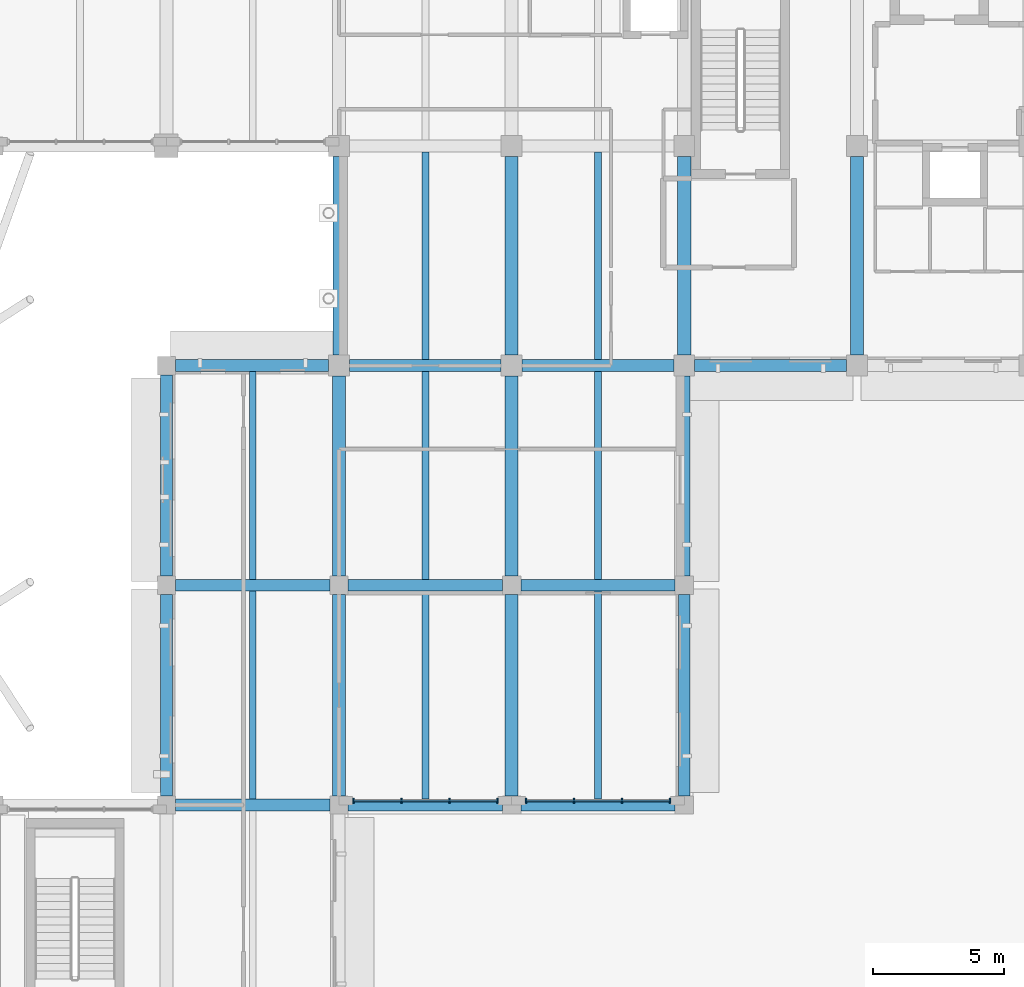
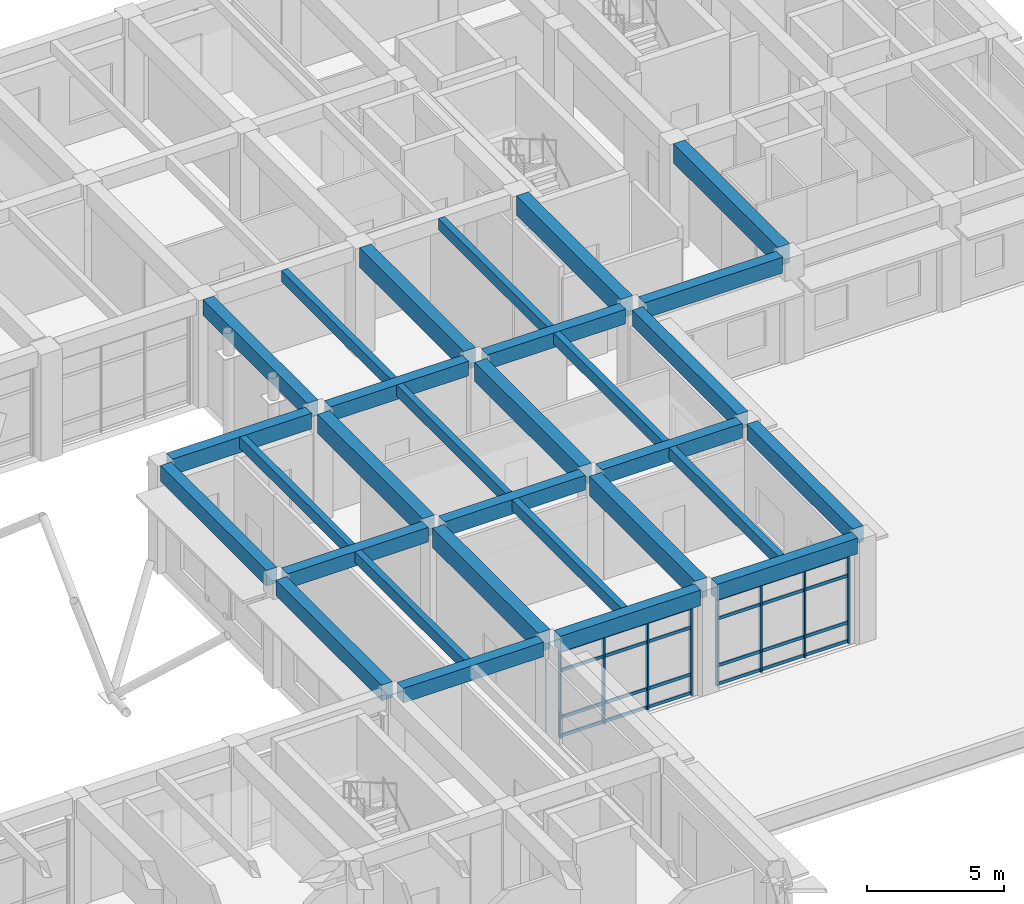
# One storey, part 26 of 75: 30 beams, 16 members, 2 elements without a shape of their own.
"""IFC4 building model written with IfcOpenShell, lengths in metres."""

from ifc_helpers import new_model, si_unit, direction, frame, origin, origin_2d, place, context, subcontext, project, spatial, rectangle, extrude, material, layer, layer_set, material_profile, profile_set, type_object, element, aggregate, save


model = new_model("IFC4")

# Units and contexts
model_context = context("Model", 3, precision=1e-05, world=origin(), true_north=direction((0.0, 1.0)))
body_context = subcontext(model_context, "Body", "Model", "MODEL_VIEW")
ifc_project = project(units=[si_unit("LENGTHUNIT", "METRE"), si_unit("AREAUNIT", "SQUARE_METRE"), si_unit("VOLUMEUNIT", "CUBIC_METRE"), si_unit("PLANEANGLEUNIT", "RADIAN"), si_unit("MASSUNIT", "GRAM", prefix="KILO")], contexts=[model_context])

# Site, building, storey
site_placement = place(None, origin())
site = spatial("IfcSite", under=ifc_project, at=site_placement, CompositionType="ELEMENT")
building_placement = place(site_placement, origin())
building = spatial("IfcBuilding", under=site, at=building_placement, Name="Kolvaren Faculty of Natural Sciences", CompositionType="ELEMENT")
storey_placement = place(building_placement, frame((0.0, 0.0, 5.39990234375)))
storey = spatial("IfcBuildingStorey", under=building, at=storey_placement, Name="L01", CompositionType="ELEMENT", Elevation=5.39990234375)

# Curtain wall, members
ifc_material_1 = material(Name="Thermally broken anodised aluminium framing", Category="aluminium")
ifc_layer = layer(ifc_material_1, 0.179931640625)
ifc_layer_set = layer_set([ifc_layer], Name="Thermally broken anodised aluminium framing")
curtain_wall_type = type_object("IfcCurtainWallType", Name="CommonsCurtainWall_CW02", PredefinedType="NOTDEFINED", material=ifc_layer_set)
curtain_wall_1_placement = place(storey_placement, origin())
curtain_wall_1 = element("IfcCurtainWall", 1, at=curtain_wall_1_placement, inside=storey, type_object=curtain_wall_type, Name="L01 unitised curtain wall CW-02 (CW-L01-040)", PredefinedType="NOTDEFINED")
ifc_material_profile_1 = material_profile(ifc_material_1, rectangle(XDim=0.06005859375, YDim=0.179931640625, at=origin_2d()), Name="ALU MUL 60x180")
ifc_profile_set_1 = profile_set([ifc_material_profile_1], Name="Thermally broken anodised aluminium framing")
member_type_1 = type_object("IfcMemberType", Name="CurtainMullion_60x180", PredefinedType="MULLION", material=ifc_profile_set_1)
member_1_placement = place(storey_placement, frame((151.449951171875, 42.360107421875, 0.0), z_axis=(0.0, 0.0, 1.0), x_axis=(-1.0, 0.0, 0.0)))
member_1 = element("IfcMember", 2, at=member_1_placement, type_object=member_type_1, Name="CW-L01-040 vertical mullion 1", PredefinedType="MULLION", context=body_context, shape_type="SweptSolid", body=[
    extrude(rectangle(XDim=0.06005859375, YDim=0.179931640625, at=origin_2d()), origin(), (0.0, 0.0, 1.0), 3.93505859375),
])
member_2_placement = place(storey_placement, frame((149.61669921875, 42.360107421875, 0.0), z_axis=(0.0, 0.0, 1.0), x_axis=(-1.0, 0.0, 0.0)))
member_2 = element("IfcMember", 3, at=member_2_placement, type_object=member_type_1, Name="CW-L01-040 vertical mullion 2", PredefinedType="MULLION", context=body_context, shape_type="SweptSolid", body=[
    extrude(rectangle(XDim=0.06005859375, YDim=0.179931640625, at=origin_2d()), origin(), (0.0, 0.0, 1.0), 3.93505859375),
])
member_3_placement = place(storey_placement, frame((147.783203125, 42.360107421875, 0.0), z_axis=(0.0, 0.0, 1.0), x_axis=(-1.0, 0.0, 0.0)))
member_3 = element("IfcMember", 4, at=member_3_placement, type_object=member_type_1, Name="CW-L01-040 vertical mullion 3", PredefinedType="MULLION", context=body_context, shape_type="SweptSolid", body=[
    extrude(rectangle(XDim=0.06005859375, YDim=0.179931640625, at=origin_2d()), origin(), (0.0, 0.0, 1.0), 3.93505859375),
])
member_4_placement = place(storey_placement, frame((145.949951171875, 42.360107421875, 0.0), z_axis=(0.0, 0.0, 1.0), x_axis=(-1.0, 0.0, 0.0)))
member_4 = element("IfcMember", 5, at=member_4_placement, type_object=member_type_1, Name="CW-L01-040 vertical mullion 4", PredefinedType="MULLION", context=body_context, shape_type="SweptSolid", body=[
    extrude(rectangle(XDim=0.06005859375, YDim=0.179931640625, at=origin_2d()), origin(), (0.0, 0.0, 1.0), 3.93505859375),
])

curtain_wall_2_placement = place(storey_placement, origin())
curtain_wall_2 = element("IfcCurtainWall", 6, at=curtain_wall_2_placement, inside=storey, type_object=curtain_wall_type, Name="L01 unitised curtain wall CW-02 (CW-L01-041)", PredefinedType="NOTDEFINED")
member_5_placement = place(storey_placement, frame((144.85009765625, 42.360107421875, 0.0), z_axis=(0.0, 0.0, 1.0), x_axis=(-1.0, 0.0, 0.0)))
member_5 = element("IfcMember", 7, at=member_5_placement, type_object=member_type_1, Name="CW-L01-041 vertical mullion 1", PredefinedType="MULLION", context=body_context, shape_type="SweptSolid", body=[
    extrude(rectangle(XDim=0.06005859375, YDim=0.179931640625, at=origin_2d()), origin(), (0.0, 0.0, 1.0), 3.93505859375),
])
member_6_placement = place(storey_placement, frame((143.0166015625, 42.360107421875, 0.0), z_axis=(0.0, 0.0, 1.0), x_axis=(-1.0, 0.0, 0.0)))
member_6 = element("IfcMember", 8, at=member_6_placement, type_object=member_type_1, Name="CW-L01-041 vertical mullion 2", PredefinedType="MULLION", context=body_context, shape_type="SweptSolid", body=[
    extrude(rectangle(XDim=0.06005859375, YDim=0.179931640625, at=origin_2d()), origin(), (0.0, 0.0, 1.0), 3.93505859375),
])
member_7_placement = place(storey_placement, frame((141.183349609375, 42.360107421875, 0.0), z_axis=(0.0, 0.0, 1.0), x_axis=(-1.0, 0.0, 0.0)))
member_7 = element("IfcMember", 9, at=member_7_placement, type_object=member_type_1, Name="CW-L01-041 vertical mullion 3", PredefinedType="MULLION", context=body_context, shape_type="SweptSolid", body=[
    extrude(rectangle(XDim=0.06005859375, YDim=0.179931640625, at=origin_2d()), origin(), (0.0, 0.0, 1.0), 3.93505859375),
])
member_8_placement = place(storey_placement, frame((139.35009765625, 42.360107421875, 0.0), z_axis=(0.0, 0.0, 1.0), x_axis=(-1.0, 0.0, 0.0)))
member_8 = element("IfcMember", 10, at=member_8_placement, type_object=member_type_1, Name="CW-L01-041 vertical mullion 4", PredefinedType="MULLION", context=body_context, shape_type="SweptSolid", body=[
    extrude(rectangle(XDim=0.06005859375, YDim=0.179931640625, at=origin_2d()), origin(), (0.0, 0.0, 1.0), 3.93505859375),
])

# Member
ifc_material_profile_2 = material_profile(ifc_material_1, rectangle(XDim=0.06005859375, YDim=0.139892578125, at=origin_2d()), Name="ALU TRN 60x140")
ifc_profile_set_2 = profile_set([ifc_material_profile_2], Name="Thermally broken anodised aluminium framing")
member_type_2 = type_object("IfcMemberType", Name="CurtainTransom_60x140", PredefinedType="USERDEFINED", material=ifc_profile_set_2)
member_9_placement = place(storey_placement, frame((151.449951171875, 42.360107421875, 0.080078125), z_axis=(-1.0, 0.0, 0.0), x_axis=(0.0, -1.0, 0.0)))
member_9 = element("IfcMember", 11, at=member_9_placement, type_object=member_type_2, Name="CW-L01-040 horizontal transom 1", ObjectType="TRANSOM", PredefinedType="USERDEFINED", context=body_context, shape_type="SweptSolid", body=[
    extrude(rectangle(XDim=0.06005859375, YDim=0.139892578125, at=origin_2d()), origin(), (0.0, 0.0, 1.0), 5.5),
])

member_10_placement = place(storey_placement, frame((151.449951171875, 42.360107421875, 0.900146484375), z_axis=(-1.0, 0.0, 0.0), x_axis=(0.0, -1.0, 0.0)))
member_10 = element("IfcMember", 12, at=member_10_placement, type_object=member_type_2, Name="CW-L01-040 horizontal transom 2", ObjectType="TRANSOM", PredefinedType="USERDEFINED", context=body_context, shape_type="SweptSolid", body=[
    extrude(rectangle(XDim=0.06005859375, YDim=0.139892578125, at=origin_2d()), origin(), (0.0, 0.0, 1.0), 5.5),
])

member_11_placement = place(storey_placement, frame((151.449951171875, 42.360107421875, 2.985107421875), z_axis=(-1.0, 0.0, 0.0), x_axis=(0.0, -1.0, 0.0)))
member_11 = element("IfcMember", 13, at=member_11_placement, type_object=member_type_2, Name="CW-L01-040 horizontal transom 3", ObjectType="TRANSOM", PredefinedType="USERDEFINED", context=body_context, shape_type="SweptSolid", body=[
    extrude(rectangle(XDim=0.06005859375, YDim=0.139892578125, at=origin_2d()), origin(), (0.0, 0.0, 1.0), 5.5),
])

member_12_placement = place(storey_placement, frame((151.449951171875, 42.360107421875, 3.85498046875), z_axis=(-1.0, 0.0, 0.0), x_axis=(0.0, -1.0, 0.0)))
member_12 = element("IfcMember", 14, at=member_12_placement, type_object=member_type_2, Name="CW-L01-040 horizontal transom 4", ObjectType="TRANSOM", PredefinedType="USERDEFINED", context=body_context, shape_type="SweptSolid", body=[
    extrude(rectangle(XDim=0.06005859375, YDim=0.139892578125, at=origin_2d()), origin(), (0.0, 0.0, 1.0), 5.5),
])

aggregate(curtain_wall_1, [member_1, member_2, member_3, member_4, member_9, member_10, member_11, member_12])

member_13_placement = place(storey_placement, frame((144.85009765625, 42.360107421875, 0.080078125), z_axis=(-1.0, 0.0, 0.0), x_axis=(0.0, -1.0, 0.0)))
member_13 = element("IfcMember", 15, at=member_13_placement, type_object=member_type_2, Name="CW-L01-041 horizontal transom 1", ObjectType="TRANSOM", PredefinedType="USERDEFINED", context=body_context, shape_type="SweptSolid", body=[
    extrude(rectangle(XDim=0.06005859375, YDim=0.139892578125, at=origin_2d()), origin(), (0.0, 0.0, 1.0), 5.5),
])

member_14_placement = place(storey_placement, frame((144.85009765625, 42.360107421875, 0.900146484375), z_axis=(-1.0, 0.0, 0.0), x_axis=(0.0, -1.0, 0.0)))
member_14 = element("IfcMember", 16, at=member_14_placement, type_object=member_type_2, Name="CW-L01-041 horizontal transom 2", ObjectType="TRANSOM", PredefinedType="USERDEFINED", context=body_context, shape_type="SweptSolid", body=[
    extrude(rectangle(XDim=0.06005859375, YDim=0.139892578125, at=origin_2d()), origin(), (0.0, 0.0, 1.0), 5.5),
])

member_15_placement = place(storey_placement, frame((144.85009765625, 42.360107421875, 2.985107421875), z_axis=(-1.0, 0.0, 0.0), x_axis=(0.0, -1.0, 0.0)))
member_15 = element("IfcMember", 17, at=member_15_placement, type_object=member_type_2, Name="CW-L01-041 horizontal transom 3", ObjectType="TRANSOM", PredefinedType="USERDEFINED", context=body_context, shape_type="SweptSolid", body=[
    extrude(rectangle(XDim=0.06005859375, YDim=0.139892578125, at=origin_2d()), origin(), (0.0, 0.0, 1.0), 5.5),
])

member_16_placement = place(storey_placement, frame((144.85009765625, 42.360107421875, 3.85498046875), z_axis=(-1.0, 0.0, 0.0), x_axis=(0.0, -1.0, 0.0)))
member_16 = element("IfcMember", 18, at=member_16_placement, type_object=member_type_2, Name="CW-L01-041 horizontal transom 4", ObjectType="TRANSOM", PredefinedType="USERDEFINED", context=body_context, shape_type="SweptSolid", body=[
    extrude(rectangle(XDim=0.06005859375, YDim=0.139892578125, at=origin_2d()), origin(), (0.0, 0.0, 1.0), 5.5),
])

aggregate(curtain_wall_2, [member_5, member_6, member_7, member_8, member_13, member_14, member_15, member_16])

# Beams
ifc_material_2 = material(Name="Concrete C35/45", Category="concrete")
ifc_material_profile_3 = material_profile(ifc_material_2, rectangle(XDim=0.449951171875, YDim=0.64990234375, at=origin_2d()), Name="RC BM 450x650")
ifc_profile_set_3 = profile_set([ifc_material_profile_3], Name="Concrete C35/45")
beam_type_1 = type_object("IfcBeamType", Name="GridBeam_450x650", PredefinedType="BEAM", material=ifc_profile_set_3)
for number, where, z_axis, x_axis, name in (
    (19, (132.550048828125, 42.199951171875, 4.47509765625), (1.0, 0.0, 0.0), (0.0, 1.0, 0.0), "L01 beam BM-65 on grid F"),
    (20, (132.550048828125, 50.60009765625, 4.47509765625), (1.0, 0.0, 0.0), (0.0, 1.0, 0.0), "L01 beam BM-65 on grid G"),
):
    element("IfcBeam", number, at=place(storey_placement, frame(where, z_axis=z_axis, x_axis=x_axis)), inside=storey, type_object=beam_type_1, Name=name, PredefinedType="BEAM", context=body_context, shape_type="SweptSolid", body=[
        extrude(rectangle(XDim=0.449951171875, YDim=0.64990234375, at=origin_2d()), origin(), (0.0, 0.0, 1.0), 5.89990234375),
    ])
beam_1_placement = place(storey_placement, frame((139.14990234375, 50.60009765625, 4.47509765625), z_axis=(1.0, 0.0, 0.0), x_axis=(0.0, 1.0, 0.0)))
element("IfcBeam", 21, at=beam_1_placement, inside=storey, type_object=beam_type_1, Name="L01 beam BM-65 on grid G", PredefinedType="BEAM", context=body_context, shape_type="SweptSolid", body=[
    extrude(rectangle(XDim=0.449951171875, YDim=0.64990234375, at=origin_2d()), origin(), (0.0, 0.0, 1.0), 5.900146484375),
])
beam_2_placement = place(storey_placement, frame((145.75, 50.60009765625, 4.47509765625), z_axis=(1.0, 0.0, 0.0), x_axis=(0.0, 1.0, 0.0)))
element("IfcBeam", 22, at=beam_2_placement, inside=storey, type_object=beam_type_1, Name="L01 beam BM-65 on grid G", PredefinedType="BEAM", context=body_context, shape_type="SweptSolid", body=[
    extrude(rectangle(XDim=0.449951171875, YDim=0.64990234375, at=origin_2d()), origin(), (0.0, 0.0, 1.0), 5.89990234375),
])
for number, where, z_axis, x_axis, name in (
    (23, (139.199951171875, 59.0, 4.47509765625), (1.0, 0.0, 0.0), (0.0, 1.0, 0.0), "L01 beam BM-65 on grid H"),
    (24, (145.800048828125, 59.0, 4.47509765625), (1.0, 0.0, 0.0), (0.0, 1.0, 0.0), "L01 beam BM-65 on grid H"),
):
    element("IfcBeam", number, at=place(storey_placement, frame(where, z_axis=z_axis, x_axis=x_axis)), inside=storey, type_object=beam_type_1, Name=name, PredefinedType="BEAM", context=body_context, shape_type="SweptSolid", body=[
        extrude(rectangle(XDim=0.449951171875, YDim=0.64990234375, at=origin_2d()), origin(), (0.0, 0.0, 1.0), 5.800048828125),
    ])
ifc_material_profile_4 = material_profile(ifc_material_2, rectangle(XDim=0.260009765625, YDim=0.5, at=origin_2d()), Name="RC JST 260x500")
ifc_profile_set_4 = profile_set([ifc_material_profile_4], Name="Concrete C35/45")
beam_type_2 = type_object("IfcBeamType", Name="LabRibJoist_260x500", PredefinedType="JOIST", material=ifc_profile_set_4)
for number, where, z_axis, x_axis, name in (
    (25, (135.5, 42.425048828125, 4.550048828125), (0.0, 1.0, 0.0), (-1.0, 0.0, 0.0), "L01 ribbed laboratory slab joist JS-50"),
    (26, (135.5, 50.824951171875, 4.550048828125), (0.0, 1.0, 0.0), (-1.0, 0.0, 0.0), "L01 ribbed laboratory slab joist JS-50"),
    (27, (142.10009765625, 42.425048828125, 4.550048828125), (0.0, 1.0, 0.0), (-1.0, 0.0, 0.0), "L01 ribbed laboratory slab joist JS-50"),
    (28, (142.10009765625, 50.824951171875, 4.550048828125), (0.0, 1.0, 0.0), (-1.0, 0.0, 0.0), "L01 ribbed laboratory slab joist JS-50"),
    (29, (142.10009765625, 59.22509765625, 4.550048828125), (0.0, 1.0, 0.0), (-1.0, 0.0, 0.0), "L01 ribbed laboratory slab joist JS-50"),
    (30, (148.699951171875, 42.425048828125, 4.550048828125), (0.0, 1.0, 0.0), (-1.0, 0.0, 0.0), "L01 ribbed laboratory slab joist JS-50"),
    (31, (148.699951171875, 50.824951171875, 4.550048828125), (0.0, 1.0, 0.0), (-1.0, 0.0, 0.0), "L01 ribbed laboratory slab joist JS-50"),
    (32, (148.699951171875, 59.22509765625, 4.550048828125), (0.0, 1.0, 0.0), (-1.0, 0.0, 0.0), "L01 ribbed laboratory slab joist JS-50"),
):
    element("IfcBeam", number, at=place(storey_placement, frame(where, z_axis=z_axis, x_axis=x_axis)), inside=storey, type_object=beam_type_2, Name=name, PredefinedType="JOIST", context=body_context, shape_type="SweptSolid", body=[
        extrude(rectangle(XDim=0.260009765625, YDim=0.5, at=origin_2d()), origin(), (0.0, 0.0, 1.0), 7.949951171875),
    ])
ifc_material_profile_5 = material_profile(ifc_material_2, rectangle(XDim=0.449951171875, YDim=0.699951171875, at=origin_2d()), Name="RC SP 450x700")
ifc_profile_set_5 = profile_set([ifc_material_profile_5], Name="Concrete C35/45")
beam_type_3 = type_object("IfcBeamType", Name="PerimeterSpandrel_450x700", PredefinedType="SPANDREL", material=ifc_profile_set_5)
beam_3_placement = place(storey_placement, frame((139.14990234375, 42.199951171875, 4.4501953125), z_axis=(1.0, 0.0, 0.0), x_axis=(0.0, 1.0, 0.0)))
element("IfcBeam", 33, at=beam_3_placement, inside=storey, type_object=beam_type_3, Name="L01 spandrel SP-70 on grid F", PredefinedType="SPANDREL", context=body_context, shape_type="SweptSolid", body=[
    extrude(rectangle(XDim=0.449951171875, YDim=0.699951171875, at=origin_2d()), origin(), (0.0, 0.0, 1.0), 5.900146484375),
])
beam_4_placement = place(storey_placement, frame((145.75, 42.199951171875, 4.4501953125), z_axis=(1.0, 0.0, 0.0), x_axis=(0.0, 1.0, 0.0)))
element("IfcBeam", 34, at=beam_4_placement, inside=storey, type_object=beam_type_3, Name="L01 spandrel SP-70 on grid F", PredefinedType="SPANDREL", context=body_context, shape_type="SweptSolid", body=[
    extrude(rectangle(XDim=0.449951171875, YDim=0.699951171875, at=origin_2d()), origin(), (0.0, 0.0, 1.0), 5.89990234375),
])
beam_5_placement = place(storey_placement, frame((132.550048828125, 59.0, 4.4501953125), z_axis=(1.0, 0.0, 0.0), x_axis=(0.0, 1.0, 0.0)))
element("IfcBeam", 35, at=beam_5_placement, inside=storey, type_object=beam_type_3, Name="L01 spandrel SP-70 on grid H", PredefinedType="SPANDREL", context=body_context, shape_type="SweptSolid", body=[
    extrude(rectangle(XDim=0.449951171875, YDim=0.699951171875, at=origin_2d()), origin(), (0.0, 0.0, 1.0), 5.849853515625),
])
beam_6_placement = place(storey_placement, frame((152.39990234375, 59.0, 4.4501953125), z_axis=(1.0, 0.0, 0.0), x_axis=(0.0, 1.0, 0.0)))
element("IfcBeam", 36, at=beam_6_placement, inside=storey, type_object=beam_type_3, Name="L01 spandrel SP-70 on grid H", PredefinedType="SPANDREL", context=body_context, shape_type="SweptSolid", body=[
    extrude(rectangle(XDim=0.449951171875, YDim=0.699951171875, at=origin_2d()), origin(), (0.0, 0.0, 1.0), 5.800048828125),
])
for number, where, z_axis, x_axis, name in (
    (37, (132.199951171875, 42.550048828125, 4.4501953125), (0.0, 1.0, 0.0), (-1.0, 0.0, 0.0), "L01 girder SP-70 on grid 21"),
    (38, (132.199951171875, 50.949951171875, 4.4501953125), (0.0, 1.0, 0.0), (-1.0, 0.0, 0.0), "L01 girder SP-70 on grid 21"),
):
    element("IfcBeam", number, at=place(storey_placement, frame(where, z_axis=z_axis, x_axis=x_axis)), inside=storey, type_object=beam_type_3, Name=name, PredefinedType="SPANDREL", context=body_context, shape_type="SweptSolid", body=[
        extrude(rectangle(XDim=0.449951171875, YDim=0.699951171875, at=origin_2d()), origin(), (0.0, 0.0, 1.0), 7.699951171875),
    ])
beam_7_placement = place(storey_placement, frame((138.800048828125, 59.39990234375, 4.4501953125), z_axis=(0.0, 1.0, 0.0), x_axis=(-1.0, 0.0, 0.0)))
element("IfcBeam", 39, at=beam_7_placement, inside=storey, type_object=beam_type_3, Name="L01 girder SP-70 on grid 22", PredefinedType="SPANDREL", context=body_context, shape_type="SweptSolid", body=[
    extrude(rectangle(XDim=0.449951171875, YDim=0.699951171875, at=origin_2d()), origin(), (0.0, 0.0, 1.0), 7.60009765625),
])
beam_8_placement = place(storey_placement, frame((152.0, 42.550048828125, 4.4501953125), z_axis=(0.0, 1.0, 0.0), x_axis=(-1.0, 0.0, 0.0)))
element("IfcBeam", 40, at=beam_8_placement, inside=storey, type_object=beam_type_3, Name="L01 girder SP-70 on grid 24", PredefinedType="SPANDREL", context=body_context, shape_type="SweptSolid", body=[
    extrude(rectangle(XDim=0.449951171875, YDim=0.699951171875, at=origin_2d()), origin(), (0.0, 0.0, 1.0), 7.699951171875),
])
beam_9_placement = place(storey_placement, frame((152.0, 50.949951171875, 4.4501953125), z_axis=(0.0, 1.0, 0.0), x_axis=(-1.0, 0.0, 0.0)))
element("IfcBeam", 41, at=beam_9_placement, inside=storey, type_object=beam_type_3, Name="L01 girder SP-70 on grid 24", PredefinedType="SPANDREL", context=body_context, shape_type="SweptSolid", body=[
    extrude(rectangle(XDim=0.449951171875, YDim=0.699951171875, at=origin_2d()), origin(), (0.0, 0.0, 1.0), 7.650146484375),
])
ifc_material_profile_6 = material_profile(ifc_material_2, rectangle(XDim=0.5, YDim=0.85009765625, at=origin_2d()), Name="RC BM 500x850")
ifc_profile_set_6 = profile_set([ifc_material_profile_6], Name="Concrete C35/45")
beam_type_4 = type_object("IfcBeamType", Name="PrimaryGirder_500x850", PredefinedType="BEAM", material=ifc_profile_set_6)
beam_10_placement = place(storey_placement, frame((138.800048828125, 42.550048828125, 4.375), z_axis=(0.0, 1.0, 0.0), x_axis=(-1.0, 0.0, 0.0)))
element("IfcBeam", 42, at=beam_10_placement, inside=storey, type_object=beam_type_4, Name="L01 girder BG-85 on grid 22", PredefinedType="BEAM", context=body_context, shape_type="SweptSolid", body=[
    extrude(rectangle(XDim=0.5, YDim=0.85009765625, at=origin_2d()), origin(), (0.0, 0.0, 1.0), 7.699951171875),
])
beam_11_placement = place(storey_placement, frame((138.800048828125, 50.949951171875, 4.375), z_axis=(0.0, 1.0, 0.0), x_axis=(-1.0, 0.0, 0.0)))
element("IfcBeam", 43, at=beam_11_placement, inside=storey, type_object=beam_type_4, Name="L01 girder BG-85 on grid 22", PredefinedType="BEAM", context=body_context, shape_type="SweptSolid", body=[
    extrude(rectangle(XDim=0.5, YDim=0.85009765625, at=origin_2d()), origin(), (0.0, 0.0, 1.0), 7.650146484375),
])
beam_12_placement = place(storey_placement, frame((145.39990234375, 42.550048828125, 4.375), z_axis=(0.0, 1.0, 0.0), x_axis=(-1.0, 0.0, 0.0)))
element("IfcBeam", 44, at=beam_12_placement, inside=storey, type_object=beam_type_4, Name="L01 girder BG-85 on grid 23", PredefinedType="BEAM", context=body_context, shape_type="SweptSolid", body=[
    extrude(rectangle(XDim=0.5, YDim=0.85009765625, at=origin_2d()), origin(), (0.0, 0.0, 1.0), 7.699951171875),
])
beam_13_placement = place(storey_placement, frame((145.39990234375, 50.949951171875, 4.375), z_axis=(0.0, 1.0, 0.0), x_axis=(-1.0, 0.0, 0.0)))
element("IfcBeam", 45, at=beam_13_placement, inside=storey, type_object=beam_type_4, Name="L01 girder BG-85 on grid 23", PredefinedType="BEAM", context=body_context, shape_type="SweptSolid", body=[
    extrude(rectangle(XDim=0.5, YDim=0.85009765625, at=origin_2d()), origin(), (0.0, 0.0, 1.0), 7.650146484375),
])
for number, where, z_axis, x_axis, name in (
    (46, (145.39990234375, 59.39990234375, 4.375), (0.0, 1.0, 0.0), (-1.0, 0.0, 0.0), "L01 girder BG-85 on grid 23"),
    (47, (152.0, 59.39990234375, 4.375), (0.0, 1.0, 0.0), (-1.0, 0.0, 0.0), "L01 girder BG-85 on grid 24"),
    (48, (158.60009765625, 59.39990234375, 4.375), (0.0, 1.0, 0.0), (-1.0, 0.0, 0.0), "L01 girder BG-85 on grid 25"),
):
    element("IfcBeam", number, at=place(storey_placement, frame(where, z_axis=z_axis, x_axis=x_axis)), inside=storey, type_object=beam_type_4, Name=name, PredefinedType="BEAM", context=body_context, shape_type="SweptSolid", body=[
        extrude(rectangle(XDim=0.5, YDim=0.85009765625, at=origin_2d()), origin(), (0.0, 0.0, 1.0), 7.60009765625),
    ])

save(model, "model.ifc")
